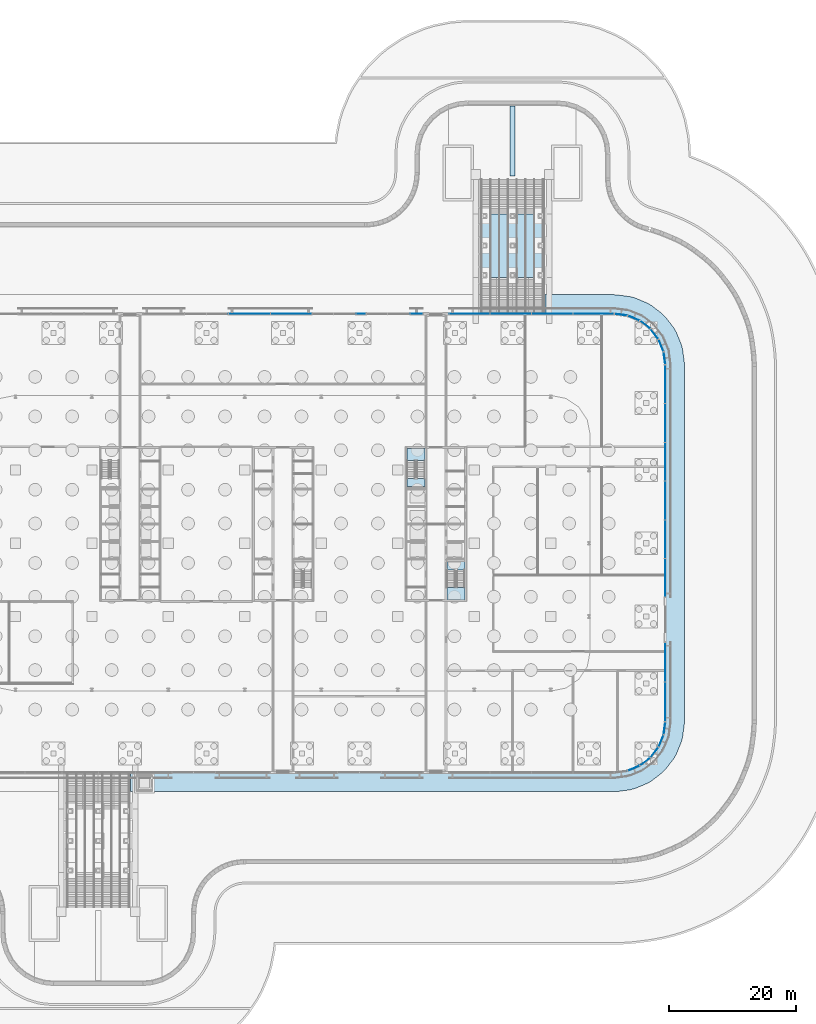
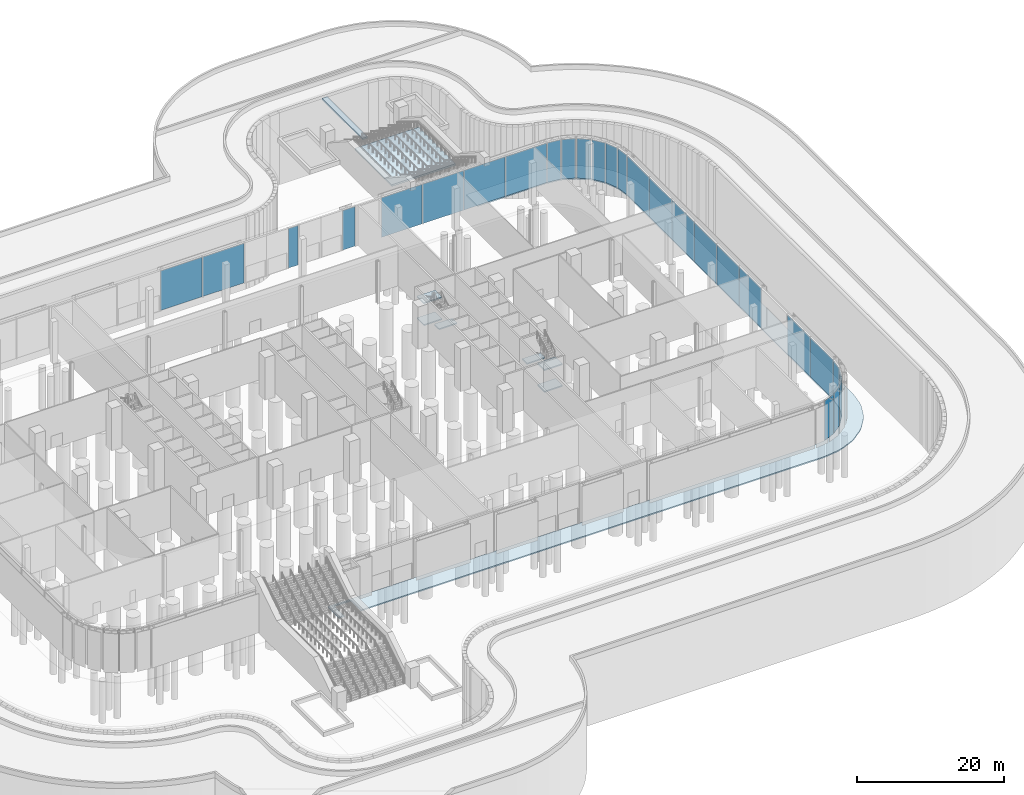
# One storey, part 19 of 48: 28 plates, 8 slabs, 20 elements without a shape of their own.
"""IFC4 building model written with IfcOpenShell, lengths in metres."""

import ifcopenshell
import ifcopenshell.guid

model = None  # the IFC model being written
_history = None  # IfcOwnerHistory: only IFC2X3 demands one
_inside = {}  # id of a spatial element -> (the spatial element, [elements in it])
_under = {}  # id of a project, library or spatial element -> (it, [spatial elements below it])
_declared = {}  # id of a project -> (the project, [libraries it declares])
_typed = {}  # id of a type object -> (the type object, [elements of that type])
_made_of = {}  # id of a material, layer set ... -> (it, [elements and type objects made of it])


def new_model(schema):
    """Start an empty IFC model of exactly this schema.

    Asked for "IFC4X3", IfcOpenShell would pick the latest addendum, in which some entities
    have other attributes; the version numbers below select the first issue.
    IFC2X3 requires an IfcOwnerHistory on every rooted entity: one is made here for all.
    """
    global model, _history
    if schema == "IFC4X3":
        model = ifcopenshell.file(schema_version=(4, 3, 0, 0))
    else:
        model = ifcopenshell.file(schema=schema)
    _inside.clear()
    _under.clear()
    _declared.clear()
    _typed.clear()
    _made_of.clear()
    _history = None
    if model.schema == "IFC2X3":
        org = make("IfcOrganization", Name="unknown")
        user = make(
            "IfcPersonAndOrganization",
            ThePerson=make("IfcPerson", FamilyName="unknown"),
            TheOrganization=org,
        )
        app = make(
            "IfcApplication",
            ApplicationDeveloper=org,
            Version="unknown",
            ApplicationFullName="unknown",
            ApplicationIdentifier="unknown",
        )
        _history = make(
            "IfcOwnerHistory",
            OwningUser=user,
            OwningApplication=app,
            ChangeAction="ADDED",
            CreationDate=0,
        )
    return model


def make(cls, **values):
    """One entity of the class cls with the attributes given. An attribute that is None is left unset."""
    return model.create_entity(
        cls, **{name: value for name, value in values.items() if value is not None}
    )


def rooted(cls, **values):
    """An entity with a GlobalId (a new one), such as an element, a storey or a relation."""
    return make(cls, GlobalId=ifcopenshell.guid.new(), OwnerHistory=_history, **values)


def si_unit(unit_type, name, prefix=None):
    """IfcSIUnit, for example si_unit("LENGTHUNIT", "METRE", prefix="MILLI")."""
    return make("IfcSIUnit", UnitType=unit_type, Prefix=prefix, Name=name)


def assignment(units):
    """IfcUnitAssignment: the units of a project."""
    return None if units is None else make("IfcUnitAssignment", Units=units)


def point(xyz):
    """IfcCartesianPoint."""
    return None if xyz is None else make("IfcCartesianPoint", Coordinates=xyz)


def direction(xyz):
    """IfcDirection."""
    return None if xyz is None else make("IfcDirection", DirectionRatios=xyz)


def frame(location, z_axis=None, x_axis=None):
    """IfcAxis2Placement3D, a coordinate frame: its origin and axes. An axis left out is left unset."""
    return make(
        "IfcAxis2Placement3D",
        Location=point(location),
        Axis=direction(z_axis),
        RefDirection=direction(x_axis),
    )


def frame_2d(location, x_axis=None):
    """IfcAxis2Placement2D, a coordinate frame in the plane: its origin and x axis."""
    return make(
        "IfcAxis2Placement2D", Location=point(location), RefDirection=direction(x_axis)
    )


def origin():
    """The frame at (0, 0, 0) with its axes left unset."""
    return frame((0.0, 0.0, 0.0))


def origin_2d():
    """The frame at (0, 0) in the plane with its x axis left unset."""
    return frame_2d((0.0, 0.0))


def place(relative_to, where):
    """IfcLocalPlacement: puts the frame where relative to a parent placement (None: the world)."""
    return make(
        "IfcLocalPlacement", PlacementRelTo=relative_to, RelativePlacement=where
    )


def context(
    kind, dimensions, precision=None, world=None, true_north=None, identifier=None
):
    """IfcGeometricRepresentationContext, for example the 3D "Model" context."""
    return make(
        "IfcGeometricRepresentationContext",
        ContextIdentifier=identifier,
        ContextType=kind,
        CoordinateSpaceDimension=dimensions,
        Precision=precision,
        WorldCoordinateSystem=world,
        TrueNorth=true_north,
    )


def subcontext(parent, identifier, kind, view, scale=None):
    """IfcGeometricRepresentationSubContext, for example "Body" below "Model"."""
    return make(
        "IfcGeometricRepresentationSubContext",
        ContextIdentifier=identifier,
        ContextType=kind,
        ParentContext=parent,
        TargetScale=scale,
        TargetView=view,
    )


def project(units=None, contexts=None):
    """IfcProject with its units and contexts."""
    return rooted(
        "IfcProject",
        Name="project",
        RepresentationContexts=contexts,
        UnitsInContext=assignment(units),
    )


def spatial(cls, under=None, at=None, **own):
    """A site, building, storey or space (cls), placed at a placement, below another one or the project."""
    s = rooted(cls, ObjectPlacement=at, **own)
    if under is not None:
        _under.setdefault(under.id(), (under, []))[1].append(s)
    return s


def polyline(points):
    """IfcPolyline through the points."""
    return make("IfcPolyline", Points=[point(p) for p in points])


def profile(cls, at=None, kind="AREA", **sizes):
    """A parametric profile (cls). Its sizes go by their IFC names, for example OverallWidth=200.0."""
    return make(cls, ProfileType=kind, Position=at, **sizes)


def rectangle(**sizes):
    """IfcRectangleProfileDef."""
    return profile("IfcRectangleProfileDef", **sizes)


def outline(outer, holes=None, kind="AREA"):
    """IfcArbitraryClosedProfileDef: a profile drawn as a closed curve; with holes, ...WithVoids."""
    if holes is None:
        return make("IfcArbitraryClosedProfileDef", ProfileType=kind, OuterCurve=outer)
    return make(
        "IfcArbitraryProfileDefWithVoids",
        ProfileType=kind,
        OuterCurve=outer,
        InnerCurves=holes,
    )


def extrude(swept, where, along, depth):
    """IfcExtrudedAreaSolid: the profile swept, set in the frame where, extruded along a direction by depth."""
    return make(
        "IfcExtrudedAreaSolid",
        SweptArea=swept,
        Position=where,
        ExtrudedDirection=direction(along),
        Depth=depth,
    )


def shape(context_of_items, identifier, shape_type, items):
    """IfcShapeRepresentation: the items that make up one representation, for example the "Body"."""
    return make(
        "IfcShapeRepresentation",
        ContextOfItems=context_of_items,
        RepresentationIdentifier=identifier,
        RepresentationType=shape_type,
        Items=items,
    )


def material(Name=None, Category=None):
    """IfcMaterial."""
    return make("IfcMaterial", Name=Name, Category=Category)


def layer(
    of_material, thickness, ventilated=None, Name=None, Category=None, Priority=None
):
    """IfcMaterialLayer: one layer of a wall or slab, of a material (None: an air gap)."""
    return make(
        "IfcMaterialLayer",
        Material=of_material,
        LayerThickness=thickness,
        IsVentilated=ventilated,
        Name=Name,
        Category=Category,
        Priority=Priority,
    )


def layer_set(layers, Name=None):
    """IfcMaterialLayerSet."""
    return make("IfcMaterialLayerSet", MaterialLayers=layers, LayerSetName=Name)


def made_of(thing, what):
    """Note that an element or type object is made of a material, layer set ...; save() writes the relation."""
    if what is not None:
        _made_of.setdefault(what.id(), (what, []))[1].append(thing)
    return thing


def type_object(cls, material=None, **own):
    """A type object (cls), such as IfcWallType, which elements share."""
    return made_of(rooted(cls, **own), material)


def element(
    cls,
    number,
    at=None,
    inside=None,
    cuts=None,
    type_object=None,
    material=None,
    context=None,
    identifier="Body",
    shape_type=None,
    held_by="IfcProductDefinitionShape",
    body=None,
    shapes=None,
    **own,
):
    """One element of the class cls, such as IfcWall. Its Tag is "e" and its number.

    at: its placement. inside: the storey or other place that contains it. cuts: it is an
    opening in that element (IfcRelVoidsElement). A single representation is given by context,
    identifier, shape_type and body (its items); several are given by shapes. held_by: the class
    of the entity that holds the representations. save() writes the other relations.
    """
    e = rooted(cls, Tag="e%d" % number, ObjectPlacement=at, **own)
    if body is not None:
        shapes = [shape(context, identifier, shape_type, body)]
    if shapes is not None:
        e.Representation = make(held_by, Representations=shapes)
    if inside is not None:
        _inside.setdefault(inside.id(), (inside, []))[1].append(e)
    if cuts is not None:
        rooted(
            "IfcRelVoidsElement", RelatingBuildingElement=cuts, RelatedOpeningElement=e
        )
    if type_object is not None:
        _typed.setdefault(type_object.id(), (type_object, []))[1].append(e)
    return made_of(e, material)


def aggregate(whole, parts):
    """IfcRelAggregates: a whole, such as a stair, and the parts it consists of."""
    return rooted("IfcRelAggregates", RelatingObject=whole, RelatedObjects=parts)


def save(model, path):
    """Write the relations noted so far, then the file.

    IfcRelAggregates (storeys below a building ...), IfcRelContainedInSpatialStructure (elements
    in a storey), IfcRelDefinesByType, IfcRelAssociatesMaterial and IfcRelDeclares: one each for
    every whole, place, type object, material and project.
    """
    for whole, parts in _under.values():
        aggregate(whole, parts)
    for where, things in _inside.values():
        rooted(
            "IfcRelContainedInSpatialStructure",
            RelatedElements=things,
            RelatingStructure=where,
        )
    for kind, things in _typed.values():
        rooted("IfcRelDefinesByType", RelatedObjects=things, RelatingType=kind)
    for what, things in _made_of.values():
        rooted("IfcRelAssociatesMaterial", RelatedObjects=things, RelatingMaterial=what)
    for by, libraries in _declared.values():
        rooted("IfcRelDeclares", RelatingContext=by, RelatedDefinitions=libraries)
    model.write(path)


model = new_model("IFC4")

# Units and contexts
model_context = context("Model", 3, precision=1e-05, world=origin(), true_north=direction((0.0, 1.0)))
body_context = subcontext(model_context, "Body", "Model", "MODEL_VIEW")
ifc_project = project(units=[si_unit("LENGTHUNIT", "METRE"), si_unit("AREAUNIT", "SQUARE_METRE"), si_unit("VOLUMEUNIT", "CUBIC_METRE"), si_unit("PLANEANGLEUNIT", "RADIAN"), si_unit("MASSUNIT", "GRAM", prefix="KILO")], contexts=[model_context])

# Site, building, storey
site_placement = place(None, origin())
site = spatial("IfcSite", under=ifc_project, at=site_placement, CompositionType="ELEMENT")
building_placement = place(site_placement, origin())
building = spatial("IfcBuilding", under=site, at=building_placement, Name="Mahtab Terrace Research Tower", CompositionType="ELEMENT")
storey_placement = place(building_placement, origin())
storey = spatial("IfcBuildingStorey", under=building, at=storey_placement, Name="G", CompositionType="ELEMENT", Elevation=0.0)

# Stair, slabs
ifc_material_1 = material(Name="Exit stair half-turn")
stair_type_1 = type_object("IfcStairType", Name="Exit stair half-turn", PredefinedType="HALF_TURN_STAIR", material=ifc_material_1)
stair_1_placement = place(storey_placement, origin())
stair_1 = element("IfcStair", 1, at=stair_1_placement, inside=storey, type_object=stair_type_1, Name="G Protected exit stair ST3", PredefinedType="HALF_TURN_STAIR")
ifc_material_2 = material(Name="Concrete C40/50", Category="concrete")
ifc_layer_1 = layer(ifc_material_2, 0.199951171875)
ifc_layer_set_1 = layer_set([ifc_layer_1], Name="Exit stair landing 200")
slab_type_1 = type_object("IfcSlabType", Name="Exit stair landing 200", PredefinedType="LANDING", material=ifc_layer_set_1)
slab_1_placement = place(storey_placement, frame((0.0, 0.0, 1.60009765625)))
slab_1 = element("IfcSlab", 2, at=slab_1_placement, type_object=slab_type_1, Name="ST3 landing 1", PredefinedType="LANDING", context=body_context, shape_type="SweptSolid", body=[
    extrude(outline(polyline([(22.300048828125, 12.97509765625), (22.300048828125, 14.875), (19.449951171875, 14.875), (19.449951171875, 12.97509765625), (22.300048828125, 12.97509765625)])), origin(), (0.0, 0.0, 1.0), 0.199951171875),
])
slab_2_placement = place(storey_placement, frame((0.0, 0.0, 3.39990234375)))
slab_2 = element("IfcSlab", 3, at=slab_2_placement, type_object=slab_type_1, Name="ST3 landing 2", PredefinedType="LANDING", context=body_context, shape_type="SweptSolid", body=[
    extrude(outline(polyline([(22.300048828125, 8.875), (22.300048828125, 10.175048828125), (19.449951171875, 10.175048828125), (19.449951171875, 8.875), (22.300048828125, 8.875)])), origin(), (0.0, 0.0, 1.0), 0.2001953125),
])
slab_3_placement = place(storey_placement, frame((0.0, 0.0, 5.199951171875)))
slab_3 = element("IfcSlab", 4, at=slab_3_placement, type_object=slab_type_1, Name="ST3 landing 3", PredefinedType="LANDING", context=body_context, shape_type="SweptSolid", body=[
    extrude(outline(polyline([(22.300048828125, 12.97509765625), (22.300048828125, 14.875), (19.449951171875, 14.875), (19.449951171875, 12.97509765625), (22.300048828125, 12.97509765625)])), origin(), (0.0, 0.0, 1.0), 0.199951171875),
])
aggregate(stair_1, [slab_1, slab_2, slab_3])

stair_2_placement = place(storey_placement, origin())
stair_2 = element("IfcStair", 5, at=stair_2_placement, inside=storey, type_object=stair_type_1, Name="G Protected exit stair ST4", PredefinedType="HALF_TURN_STAIR")
slab_4_placement = place(storey_placement, frame((0.0, 0.0, 1.60009765625)))
slab_4 = element("IfcSlab", 6, at=slab_4_placement, type_object=slab_type_1, Name="ST4 landing 1", PredefinedType="LANDING", context=body_context, shape_type="SweptSolid", body=[
    extrude(outline(polyline([(25.699951171875, -6.97509765625), (25.699951171875, -8.875), (28.550048828125, -8.875), (28.550048828125, -6.97509765625), (25.699951171875, -6.97509765625)])), origin(), (0.0, 0.0, 1.0), 0.199951171875),
])
slab_5_placement = place(storey_placement, frame((0.0, 0.0, 3.39990234375)))
slab_5 = element("IfcSlab", 7, at=slab_5_placement, type_object=slab_type_1, Name="ST4 landing 2", PredefinedType="LANDING", context=body_context, shape_type="SweptSolid", body=[
    extrude(outline(polyline([(25.699951171875, -2.875), (25.699951171875, -4.175048828125), (28.550048828125, -4.175048828125), (28.550048828125, -2.875), (25.699951171875, -2.875)])), origin(), (0.0, 0.0, 1.0), 0.2001953125),
])
slab_6_placement = place(storey_placement, frame((0.0, 0.0, 5.199951171875)))
slab_6 = element("IfcSlab", 8, at=slab_6_placement, type_object=slab_type_1, Name="ST4 landing 3", PredefinedType="LANDING", context=body_context, shape_type="SweptSolid", body=[
    extrude(outline(polyline([(25.699951171875, -6.97509765625), (25.699951171875, -8.875), (28.550048828125, -8.875), (28.550048828125, -6.97509765625), (25.699951171875, -6.97509765625)])), origin(), (0.0, 0.0, 1.0), 0.199951171875),
])
aggregate(stair_2, [slab_4, slab_5, slab_6])

# Plate
ifc_material_3 = material(Name="Water feature lining")
ifc_layer_2 = layer(ifc_material_3, 0.25)
ifc_layer_set_2 = layer_set([ifc_layer_2], Name="Forecourt rill lining 800")
plate_type_1 = type_object("IfcPlateType", Name="Forecourt rill lining 800", PredefinedType="USERDEFINED", material=ifc_layer_set_2)
plate_1_placement = place(storey_placement, frame((0.0, 0.0, -0.31005859375)))
element("IfcPlate", 9, at=plate_1_placement, inside=storey, type_object=plate_type_1, Name="Forecourt rill 2", ObjectType="WATER CHANNEL", PredefinedType="USERDEFINED", context=body_context, shape_type="SweptSolid", body=[
    extrude(outline(polyline([(35.60009765625, 57.614990234375), (35.60009765625, 68.614990234375), (36.39990234375, 68.614990234375), (36.39990234375, 57.614990234375), (35.60009765625, 57.614990234375)])), origin(), (0.0, 0.0, 1.0), 0.239990234375),
])

# Slab
ifc_material_4 = material(Name="Granite paving", Category="masonry")
ifc_layer_3 = layer(ifc_material_4, 0.199951171875)
ifc_layer_set_3 = layer_set([ifc_layer_3], Name="Granite apron paving 200")
slab_type_2 = type_object("IfcSlabType", Name="Granite apron paving 200", PredefinedType="USERDEFINED", material=ifc_layer_set_3)
slab_7_placement = place(storey_placement, frame((0.0, 0.0, -0.199951171875)))
element("IfcSlab", 10, at=slab_7_placement, inside=storey, type_object=slab_type_2, Name="Apron paving 1", ObjectType="PAVING", PredefinedType="USERDEFINED", context=body_context, shape_type="SweptSolid", body=[
    extrude(outline(polyline([(63.0, 28.0), (63.0, -28.0), (62.97412109375, -28.39208984375), (62.700927734375, -30.462890625), (62.4990234375, -31.218994140625), (61.699951171875, -33.14794921875), (61.30810546875, -33.825927734375), (60.037109375, -35.48291015625), (59.48291015625, -36.037109375), (57.825927734375, -37.30810546875), (57.14794921875, -37.699951171875), (55.218994140625, -38.4990234375), (54.462890625, -38.700927734375), (52.39208984375, -38.97412109375), (52.0, -39.0), (-20.5, -39.0), (-20.489990234375, -39.0), (-20.47998046875, -38.998046875), (-20.470947265625, -38.99609375), (-20.4619140625, -38.991943359375), (-20.452880859375, -38.988037109375), (-20.444091796875, -38.98291015625), (-20.43701171875, -38.97705078125), (-20.428955078125, -38.970947265625), (-20.423095703125, -38.962890625), (-20.4169921875, -38.9560546875), (-20.412109375, -38.947021484375), (-20.407958984375, -38.93798828125), (-20.404052734375, -38.928955078125), (-20.402099609375, -38.919921875), (-20.39990234375, -38.909912109375), (-20.39990234375, -38.89990234375), (-20.39990234375, -36.39990234375), (-20.39990234375, -36.389892578125), (-20.402099609375, -36.3798828125), (-20.404052734375, -36.37109375), (-20.407958984375, -36.362060546875), (-20.412109375, -36.35302734375), (-20.4169921875, -36.343994140625), (-20.423095703125, -36.3369140625), (-20.428955078125, -36.3291015625), (-20.43701171875, -36.322998046875), (-20.444091796875, -36.31689453125), (-20.452880859375, -36.31201171875), (-20.4619140625, -36.30810546875), (-20.470947265625, -36.303955078125), (-20.47998046875, -36.302001953125), (-20.489990234375, -36.300048828125), (-20.5, -36.300048828125), (-23.0, -36.300048828125), (-23.010009765625, -36.300048828125), (-23.02001953125, -36.302001953125), (-23.029052734375, -36.303955078125), (-23.0380859375, -36.30810546875), (-23.047119140625, -36.31201171875), (-23.055908203125, -36.31689453125), (-23.06298828125, -36.322998046875), (-23.071044921875, -36.3291015625), (-23.076904296875, -36.3369140625), (-23.0830078125, -36.343994140625), (-23.087890625, -36.35302734375), (-23.092041015625, -36.362060546875), (-23.095947265625, -36.37109375), (-23.097900390625, -36.3798828125), (-23.10009765625, -36.389892578125), (-23.10009765625, -36.39990234375), (-23.10009765625, -38.89990234375), (-23.10009765625, -38.909912109375), (-23.097900390625, -38.919921875), (-23.095947265625, -38.928955078125), (-23.092041015625, -38.93798828125), (-23.087890625, -38.947021484375), (-23.0830078125, -38.9560546875), (-23.076904296875, -38.962890625), (-23.071044921875, -38.970947265625), (-23.06298828125, -38.97705078125), (-23.055908203125, -38.98291015625), (-23.047119140625, -38.988037109375), (-23.0380859375, -38.991943359375), (-23.029052734375, -38.99609375), (-23.02001953125, -38.998046875), (-23.010009765625, -39.0), (-23.0, -39.0), (-23.89990234375, -39.0), (-23.89990234375, -36.0), (52.0, -36.0), (54.071044921875, -35.72705078125), (56.0, -34.927978515625), (57.656982421875, -33.656982421875), (58.927978515625, -32.0), (59.72705078125, -30.071044921875), (60.0, -28.0), (60.0, 28.0), (59.72705078125, 30.071044921875), (58.927978515625, 32.0), (57.656982421875, 33.656982421875), (56.0, 34.927978515625), (54.071044921875, 35.72705078125), (52.0, 36.0), (41.10009765625, 36.0), (41.10009765625, 39.0), (52.0, 39.0), (52.39208984375, 38.97412109375), (54.462890625, 38.700927734375), (55.218994140625, 38.4990234375), (57.14794921875, 37.699951171875), (57.825927734375, 37.30810546875), (59.48291015625, 36.037109375), (60.037109375, 35.48291015625), (61.30810546875, 33.825927734375), (61.699951171875, 33.14794921875), (62.4990234375, 31.218994140625), (62.700927734375, 30.462890625), (62.97412109375, 28.39208984375), (63.0, 28.0)])), origin(), (0.0, 0.0, 1.0), 0.199951171875),
])

# Curtain wall, plate
ifc_material_5 = material(Name="Ground lobby curtain wall")
curtain_wall_type = type_object("IfcCurtainWallType", Name="Ground lobby curtain wall", PredefinedType="NOTDEFINED", material=ifc_material_5)
curtain_wall_1_placement = place(storey_placement, origin())
curtain_wall_1 = element("IfcCurtainWall", 11, at=curtain_wall_1_placement, inside=storey, type_object=curtain_wall_type, Name="EN.G.0.0", PredefinedType="NOTDEFINED")
ifc_material_6 = material(Name="Dark glazing", Category="glass")
ifc_layer_4 = layer(ifc_material_6, 0.0439453125)
ifc_layer_set_4 = layer_set([ifc_layer_4], Name="Ground lobby curtain wall glazing panel")
plate_type_2 = type_object("IfcPlateType", Name="Ground lobby curtain wall glazing panel", PredefinedType="CURTAIN_PANEL", material=ifc_layer_set_4)
plate_2_placement = place(storey_placement, frame((59.327392578125, 31.035400390625, 0.0), z_axis=(0.0, 0.0, 1.0), x_axis=(-0.382676089485, 0.923882573998, 0.0)))
plate_2 = element("IfcPlate", 12, at=plate_2_placement, type_object=plate_type_2, Name="CWG-1 panel 1", PredefinedType="CURTAIN_PANEL", context=body_context, shape_type="SweptSolid", body=[
    extrude(rectangle(XDim=1.927978515625, YDim=0.0439453125, at=origin_2d()), origin(), (0.0, 0.0, 1.0), 6.56005859375),
])
aggregate(curtain_wall_1, [plate_2])

curtain_wall_2_placement = place(storey_placement, origin())
curtain_wall_2 = element("IfcCurtainWall", 13, at=curtain_wall_2_placement, inside=storey, type_object=curtain_wall_type, Name="EN.G.1.0", PredefinedType="NOTDEFINED")
plate_3_placement = place(storey_placement, frame((58.29248046875, 32.82861328125, 0.0), z_axis=(0.0, 0.0, 1.0), x_axis=(-0.60862253119, 0.793459901021, 0.0)))
plate_3 = element("IfcPlate", 14, at=plate_3_placement, type_object=plate_type_2, Name="CWG-1 panel 1", PredefinedType="CURTAIN_PANEL", context=body_context, shape_type="SweptSolid", body=[
    extrude(rectangle(XDim=1.92822265625, YDim=0.0439453125, at=origin_2d()), origin(), (0.0, 0.0, 1.0), 6.56005859375),
])
aggregate(curtain_wall_2, [plate_3])

curtain_wall_3_placement = place(storey_placement, origin())
curtain_wall_3 = element("IfcCurtainWall", 15, at=curtain_wall_3_placement, inside=storey, type_object=curtain_wall_type, Name="EN.G.2.0", PredefinedType="NOTDEFINED")
plate_4_placement = place(storey_placement, frame((56.82861328125, 34.29248046875, 0.0), z_axis=(0.0, 0.0, 1.0), x_axis=(-0.793459901021, 0.60862253119, 0.0)))
plate_4 = element("IfcPlate", 16, at=plate_4_placement, type_object=plate_type_2, Name="CWG-1 panel 1", PredefinedType="CURTAIN_PANEL", context=body_context, shape_type="SweptSolid", body=[
    extrude(rectangle(XDim=1.92822265625, YDim=0.0439453125, at=origin_2d()), origin(), (0.0, 0.0, 1.0), 6.56005859375),
])
aggregate(curtain_wall_3, [plate_4])

curtain_wall_4_placement = place(storey_placement, origin())
curtain_wall_4 = element("IfcCurtainWall", 17, at=curtain_wall_4_placement, inside=storey, type_object=curtain_wall_type, Name="EN.G.3.0", PredefinedType="NOTDEFINED")
plate_5_placement = place(storey_placement, frame((55.035400390625, 35.327392578125, 0.0), z_axis=(0.0, 0.0, 1.0), x_axis=(-0.923882573998, 0.382676089485, 0.0)))
plate_5 = element("IfcPlate", 18, at=plate_5_placement, type_object=plate_type_2, Name="CWG-1 panel 1", PredefinedType="CURTAIN_PANEL", context=body_context, shape_type="SweptSolid", body=[
    extrude(rectangle(XDim=1.927978515625, YDim=0.0439453125, at=origin_2d()), origin(), (0.0, 0.0, 1.0), 6.56005859375),
])
aggregate(curtain_wall_4, [plate_5])

curtain_wall_5_placement = place(storey_placement, origin())
curtain_wall_5 = element("IfcCurtainWall", 19, at=curtain_wall_5_placement, inside=storey, type_object=curtain_wall_type, Name="EN.G.4.0", PredefinedType="NOTDEFINED")
plate_6_placement = place(storey_placement, frame((53.035400390625, 35.863525390625, 0.0), z_axis=(0.0, 0.0, 1.0), x_axis=(-0.991423309059, 0.130689793992, 0.0)))
plate_6 = element("IfcPlate", 20, at=plate_6_placement, type_object=plate_type_2, Name="CWG-1 panel 1", PredefinedType="CURTAIN_PANEL", context=body_context, shape_type="SweptSolid", body=[
    extrude(rectangle(XDim=1.928955078125, YDim=0.0439453125, at=origin_2d()), origin(), (0.0, 0.0, 1.0), 6.56005859375),
])
aggregate(curtain_wall_5, [plate_6])

# Curtain wall, plates
curtain_wall_6_placement = place(storey_placement, origin())
curtain_wall_6 = element("IfcCurtainWall", 21, at=curtain_wall_6_placement, inside=storey, type_object=curtain_wall_type, Name="EN.G.5.0", PredefinedType="NOTDEFINED")
plate_7_placement = place(storey_placement, frame((48.72998046875, 36.0, 0.0), z_axis=(0.0, 0.0, 1.0), x_axis=(-1.0, 0.0, 0.0)))
plate_7 = element("IfcPlate", 22, at=plate_7_placement, type_object=plate_type_2, Name="CWG-1 panel 1", PredefinedType="CURTAIN_PANEL", context=body_context, shape_type="SweptSolid", body=[
    extrude(rectangle(XDim=6.3798828125, YDim=0.0439453125, at=origin_2d()), origin(), (0.0, 0.0, 1.0), 6.56005859375),
])
plate_8_placement = place(storey_placement, frame((42.25, 36.0, 0.0), z_axis=(0.0, 0.0, 1.0), x_axis=(-1.0, 0.0, 0.0)))
plate_8 = element("IfcPlate", 23, at=plate_8_placement, type_object=plate_type_2, Name="CWG-1 panel 2", PredefinedType="CURTAIN_PANEL", context=body_context, shape_type="SweptSolid", body=[
    extrude(rectangle(XDim=6.419921875, YDim=0.0439453125, at=origin_2d()), origin(), (0.0, 0.0, 1.0), 6.56005859375),
])
plate_9_placement = place(storey_placement, frame((35.75, 36.0, 0.0), z_axis=(0.0, 0.0, 1.0), x_axis=(-1.0, 0.0, 0.0)))
plate_9 = element("IfcPlate", 24, at=plate_9_placement, type_object=plate_type_2, Name="CWG-1 panel 3", PredefinedType="CURTAIN_PANEL", context=body_context, shape_type="SweptSolid", body=[
    extrude(rectangle(XDim=6.419921875, YDim=0.0439453125, at=origin_2d()), origin(), (0.0, 0.0, 1.0), 6.56005859375),
])
plate_10_placement = place(storey_placement, frame((29.27001953125, 36.0, 0.0), z_axis=(0.0, 0.0, 1.0), x_axis=(-1.0, 0.0, 0.0)))
plate_10 = element("IfcPlate", 25, at=plate_10_placement, type_object=plate_type_2, Name="CWG-1 panel 4", PredefinedType="CURTAIN_PANEL", context=body_context, shape_type="SweptSolid", body=[
    extrude(rectangle(XDim=6.3798828125, YDim=0.0439453125, at=origin_2d()), origin(), (0.0, 0.0, 1.0), 6.56005859375),
])
aggregate(curtain_wall_6, [plate_7, plate_8, plate_9, plate_10])

# Curtain wall, plate
curtain_wall_7_placement = place(storey_placement, origin())
curtain_wall_7 = element("IfcCurtainWall", 26, at=curtain_wall_7_placement, inside=storey, type_object=curtain_wall_type, Name="EN.G.5.2", PredefinedType="NOTDEFINED")
plate_11_placement = place(storey_placement, frame((20.949951171875, 36.0, 0.0), z_axis=(0.0, 0.0, 1.0), x_axis=(-1.0, 0.0, 0.0)))
plate_11 = element("IfcPlate", 27, at=plate_11_placement, type_object=plate_type_2, Name="CWG-1 panel 1", PredefinedType="CURTAIN_PANEL", context=body_context, shape_type="SweptSolid", body=[
    extrude(rectangle(XDim=1.93994140625, YDim=0.0439453125, at=origin_2d()), origin(), (0.0, 0.0, 1.0), 6.56005859375),
])
aggregate(curtain_wall_7, [plate_11])

curtain_wall_8_placement = place(storey_placement, origin())
curtain_wall_8 = element("IfcCurtainWall", 28, at=curtain_wall_8_placement, inside=storey, type_object=curtain_wall_type, Name="EN.G.5.5", PredefinedType="NOTDEFINED")
plate_12_placement = place(storey_placement, frame((12.25, 36.0, 0.0), z_axis=(0.0, 0.0, 1.0), x_axis=(-1.0, 0.0, 0.0)))
plate_12 = element("IfcPlate", 29, at=plate_12_placement, type_object=plate_type_2, Name="CWG-1 panel 1", PredefinedType="CURTAIN_PANEL", context=body_context, shape_type="SweptSolid", body=[
    extrude(rectangle(XDim=1.5400390625, YDim=0.0439453125, at=origin_2d()), origin(), (0.0, 0.0, 1.0), 6.56005859375),
])
aggregate(curtain_wall_8, [plate_12])

# Curtain wall, plates
curtain_wall_9_placement = place(storey_placement, origin())
curtain_wall_9 = element("IfcCurtainWall", 30, at=curtain_wall_9_placement, inside=storey, type_object=curtain_wall_type, Name="EN.G.5.8", PredefinedType="NOTDEFINED")
plate_13_placement = place(storey_placement, frame((1.280029296875, 36.0, 0.0), z_axis=(0.0, 0.0, 1.0), x_axis=(-1.0, 0.0, 0.0)))
plate_13 = element("IfcPlate", 31, at=plate_13_placement, type_object=plate_type_2, Name="CWG-1 panel 1", PredefinedType="CURTAIN_PANEL", context=body_context, shape_type="SweptSolid", body=[
    extrude(rectangle(XDim=6.47998046875, YDim=0.0439453125, at=origin_2d()), origin(), (0.0, 0.0, 1.0), 6.56005859375),
])
plate_14_placement = place(storey_placement, frame((-5.280029296875, 36.0, 0.0), z_axis=(0.0, 0.0, 1.0), x_axis=(-1.0, 0.0, 0.0)))
plate_14 = element("IfcPlate", 32, at=plate_14_placement, type_object=plate_type_2, Name="CWG-1 panel 2", PredefinedType="CURTAIN_PANEL", context=body_context, shape_type="SweptSolid", body=[
    extrude(rectangle(XDim=6.47998046875, YDim=0.0439453125, at=origin_2d()), origin(), (0.0, 0.0, 1.0), 6.56005859375),
])
aggregate(curtain_wall_9, [plate_13, plate_14])

# Curtain wall, plate
curtain_wall_10_placement = place(storey_placement, origin())
curtain_wall_10 = element("IfcCurtainWall", 33, at=curtain_wall_10_placement, inside=storey, type_object=curtain_wall_type, Name="EN.G.21.0", PredefinedType="NOTDEFINED")
plate_15_placement = place(storey_placement, frame((55.035400390625, -35.327392578125, 0.0), z_axis=(0.0, 0.0, 1.0), x_axis=(0.923882573998, 0.382676089485, 0.0)))
plate_15 = element("IfcPlate", 34, at=plate_15_placement, type_object=plate_type_2, Name="CWG-1 panel 1", PredefinedType="CURTAIN_PANEL", context=body_context, shape_type="SweptSolid", body=[
    extrude(rectangle(XDim=1.927978515625, YDim=0.0439453125, at=origin_2d()), origin(), (0.0, 0.0, 1.0), 6.56005859375),
])
aggregate(curtain_wall_10, [plate_15])

curtain_wall_11_placement = place(storey_placement, origin())
curtain_wall_11 = element("IfcCurtainWall", 35, at=curtain_wall_11_placement, inside=storey, type_object=curtain_wall_type, Name="EN.G.22.0", PredefinedType="NOTDEFINED")
plate_16_placement = place(storey_placement, frame((56.82861328125, -34.29248046875, 0.0), z_axis=(0.0, 0.0, 1.0), x_axis=(0.793459901021, 0.60862253119, 0.0)))
plate_16 = element("IfcPlate", 36, at=plate_16_placement, type_object=plate_type_2, Name="CWG-1 panel 1", PredefinedType="CURTAIN_PANEL", context=body_context, shape_type="SweptSolid", body=[
    extrude(rectangle(XDim=1.92822265625, YDim=0.0439453125, at=origin_2d()), origin(), (0.0, 0.0, 1.0), 6.56005859375),
])
aggregate(curtain_wall_11, [plate_16])

curtain_wall_12_placement = place(storey_placement, origin())
curtain_wall_12 = element("IfcCurtainWall", 37, at=curtain_wall_12_placement, inside=storey, type_object=curtain_wall_type, Name="EN.G.23.0", PredefinedType="NOTDEFINED")
plate_17_placement = place(storey_placement, frame((58.29248046875, -32.82861328125, 0.0), z_axis=(0.0, 0.0, 1.0), x_axis=(0.60862253119, 0.793459901021, 0.0)))
plate_17 = element("IfcPlate", 38, at=plate_17_placement, type_object=plate_type_2, Name="CWG-1 panel 1", PredefinedType="CURTAIN_PANEL", context=body_context, shape_type="SweptSolid", body=[
    extrude(rectangle(XDim=1.92822265625, YDim=0.0439453125, at=origin_2d()), origin(), (0.0, 0.0, 1.0), 6.56005859375),
])
aggregate(curtain_wall_12, [plate_17])

curtain_wall_13_placement = place(storey_placement, origin())
curtain_wall_13 = element("IfcCurtainWall", 39, at=curtain_wall_13_placement, inside=storey, type_object=curtain_wall_type, Name="EN.G.24.0", PredefinedType="NOTDEFINED")
plate_18_placement = place(storey_placement, frame((59.327392578125, -31.035400390625, 0.0), z_axis=(0.0, 0.0, 1.0), x_axis=(0.382676089485, 0.923882573998, 0.0)))
plate_18 = element("IfcPlate", 40, at=plate_18_placement, type_object=plate_type_2, Name="CWG-1 panel 1", PredefinedType="CURTAIN_PANEL", context=body_context, shape_type="SweptSolid", body=[
    extrude(rectangle(XDim=1.927978515625, YDim=0.0439453125, at=origin_2d()), origin(), (0.0, 0.0, 1.0), 6.56005859375),
])
aggregate(curtain_wall_13, [plate_18])

curtain_wall_14_placement = place(storey_placement, origin())
curtain_wall_14 = element("IfcCurtainWall", 41, at=curtain_wall_14_placement, inside=storey, type_object=curtain_wall_type, Name="EN.G.25.0", PredefinedType="NOTDEFINED")
plate_19_placement = place(storey_placement, frame((59.863525390625, -29.035400390625, 0.0), z_axis=(0.0, 0.0, 1.0), x_axis=(0.130689793992, 0.991423309059, 0.0)))
plate_19 = element("IfcPlate", 42, at=plate_19_placement, type_object=plate_type_2, Name="CWG-1 panel 1", PredefinedType="CURTAIN_PANEL", context=body_context, shape_type="SweptSolid", body=[
    extrude(rectangle(XDim=1.928955078125, YDim=0.0439453125, at=origin_2d()), origin(), (0.0, 0.0, 1.0), 6.56005859375),
])
aggregate(curtain_wall_14, [plate_19])

# Curtain wall, plates
curtain_wall_15_placement = place(storey_placement, origin())
curtain_wall_15 = element("IfcCurtainWall", 43, at=curtain_wall_15_placement, inside=storey, type_object=curtain_wall_type, Name="EN.G.26.0", PredefinedType="NOTDEFINED")
plate_20_placement = place(storey_placement, frame((60.0, -24.85498046875, 0.0), z_axis=(0.0, 0.0, 1.0), x_axis=(0.0, 1.0, 0.0)))
plate_20 = element("IfcPlate", 44, at=plate_20_placement, type_object=plate_type_2, Name="CWG-1 panel 1", PredefinedType="CURTAIN_PANEL", context=body_context, shape_type="SweptSolid", body=[
    extrude(rectangle(XDim=6.1298828125, YDim=0.0439453125, at=origin_2d()), origin(), (0.0, 0.0, 1.0), 6.56005859375),
])
plate_21_placement = place(storey_placement, frame((60.0, -18.64501953125, 0.0), z_axis=(0.0, 0.0, 1.0), x_axis=(0.0, 1.0, 0.0)))
plate_21 = element("IfcPlate", 45, at=plate_21_placement, type_object=plate_type_2, Name="CWG-1 panel 2", PredefinedType="CURTAIN_PANEL", context=body_context, shape_type="SweptSolid", body=[
    extrude(rectangle(XDim=6.1298828125, YDim=0.0439453125, at=origin_2d()), origin(), (0.0, 0.0, 1.0), 6.56005859375),
])
aggregate(curtain_wall_15, [plate_20, plate_21])

curtain_wall_16_placement = place(storey_placement, origin())
curtain_wall_16 = element("IfcCurtainWall", 46, at=curtain_wall_16_placement, inside=storey, type_object=curtain_wall_type, Name="EN.G.26.2", PredefinedType="NOTDEFINED")
plate_22_placement = place(storey_placement, frame((60.0, -5.438232421875, 0.0), z_axis=(0.0, 0.0, 1.0), x_axis=(0.0, 1.0, 0.0)))
plate_22 = element("IfcPlate", 47, at=plate_22_placement, type_object=plate_type_2, Name="CWG-1 panel 1", PredefinedType="CURTAIN_PANEL", context=body_context, shape_type="SweptSolid", body=[
    extrude(rectangle(XDim=5.96337890625, YDim=0.0439453125, at=origin_2d()), origin(), (0.0, 0.0, 1.0), 6.56005859375),
])
plate_23_placement = place(storey_placement, frame((60.0, 0.625, 0.0), z_axis=(0.0, 0.0, 1.0), x_axis=(0.0, 1.0, 0.0)))
plate_23 = element("IfcPlate", 48, at=plate_23_placement, type_object=plate_type_2, Name="CWG-1 panel 2", PredefinedType="CURTAIN_PANEL", context=body_context, shape_type="SweptSolid", body=[
    extrude(rectangle(XDim=6.00341796875, YDim=0.0439453125, at=origin_2d()), origin(), (0.0, 0.0, 1.0), 6.56005859375),
])
plate_24_placement = place(storey_placement, frame((60.0, 6.708251953125, 0.0), z_axis=(0.0, 0.0, 1.0), x_axis=(0.0, 1.0, 0.0)))
plate_24 = element("IfcPlate", 49, at=plate_24_placement, type_object=plate_type_2, Name="CWG-1 panel 3", PredefinedType="CURTAIN_PANEL", context=body_context, shape_type="SweptSolid", body=[
    extrude(rectangle(XDim=6.00341796875, YDim=0.0439453125, at=origin_2d()), origin(), (0.0, 0.0, 1.0), 6.56005859375),
])
plate_25_placement = place(storey_placement, frame((60.0, 12.791748046875, 0.0), z_axis=(0.0, 0.0, 1.0), x_axis=(0.0, 1.0, 0.0)))
plate_25 = element("IfcPlate", 50, at=plate_25_placement, type_object=plate_type_2, Name="CWG-1 panel 4", PredefinedType="CURTAIN_PANEL", context=body_context, shape_type="SweptSolid", body=[
    extrude(rectangle(XDim=6.00341796875, YDim=0.0439453125, at=origin_2d()), origin(), (0.0, 0.0, 1.0), 6.56005859375),
])
plate_26_placement = place(storey_placement, frame((60.0, 18.875, 0.0), z_axis=(0.0, 0.0, 1.0), x_axis=(0.0, 1.0, 0.0)))
plate_26 = element("IfcPlate", 51, at=plate_26_placement, type_object=plate_type_2, Name="CWG-1 panel 5", PredefinedType="CURTAIN_PANEL", context=body_context, shape_type="SweptSolid", body=[
    extrude(rectangle(XDim=6.00341796875, YDim=0.0439453125, at=origin_2d()), origin(), (0.0, 0.0, 1.0), 6.56005859375),
])
plate_27_placement = place(storey_placement, frame((60.0, 24.938232421875, 0.0), z_axis=(0.0, 0.0, 1.0), x_axis=(0.0, 1.0, 0.0)))
plate_27 = element("IfcPlate", 52, at=plate_27_placement, type_object=plate_type_2, Name="CWG-1 panel 6", PredefinedType="CURTAIN_PANEL", context=body_context, shape_type="SweptSolid", body=[
    extrude(rectangle(XDim=5.96337890625, YDim=0.0439453125, at=origin_2d()), origin(), (0.0, 0.0, 1.0), 6.56005859375),
])
aggregate(curtain_wall_16, [plate_22, plate_23, plate_24, plate_25, plate_26, plate_27])

# Curtain wall, plate
curtain_wall_17_placement = place(storey_placement, origin())
curtain_wall_17 = element("IfcCurtainWall", 53, at=curtain_wall_17_placement, inside=storey, type_object=curtain_wall_type, Name="EN.G.27.0", PredefinedType="NOTDEFINED")
plate_28_placement = place(storey_placement, frame((59.863525390625, 29.035400390625, 0.0), z_axis=(0.0, 0.0, 1.0), x_axis=(-0.130689793992, 0.991423309059, 0.0)))
plate_28 = element("IfcPlate", 54, at=plate_28_placement, type_object=plate_type_2, Name="CWG-1 panel 1", PredefinedType="CURTAIN_PANEL", context=body_context, shape_type="SweptSolid", body=[
    extrude(rectangle(XDim=1.928955078125, YDim=0.0439453125, at=origin_2d()), origin(), (0.0, 0.0, 1.0), 6.56005859375),
])
aggregate(curtain_wall_17, [plate_28])

# Stair, slab
ifc_material_7 = material(Name="Public deck stair")
stair_type_2 = type_object("IfcStairType", Name="Public deck stair", PredefinedType="STRAIGHT_RUN_STAIR", material=ifc_material_7)
stair_3_placement = place(storey_placement, origin())
stair_3 = element("IfcStair", 55, at=stair_3_placement, inside=storey, type_object=stair_type_2, Name="Public deck stair PS2", PredefinedType="STRAIGHT_RUN_STAIR")
ifc_layer_5 = layer(ifc_material_2, 0.300048828125)
ifc_layer_set_5 = layer_set([ifc_layer_5], Name="Public deck stair landing 300")
slab_type_3 = type_object("IfcSlabType", Name="Public deck stair landing 300", PredefinedType="LANDING", material=ifc_layer_set_5)
slab_8_placement = place(storey_placement, frame((0.0, 0.0, 3.212158203125)))
slab_8 = element("IfcSlab", 56, at=slab_8_placement, type_object=slab_type_3, Name="PS2 landing 1", PredefinedType="LANDING", context=body_context, shape_type="SweptSolid", body=[
    extrude(outline(polyline([(31.0, 41.699951171875), (41.0, 41.699951171875), (41.0, 51.699951171875), (31.0, 51.699951171875), (31.0, 41.699951171875)])), origin(), (0.0, 0.0, 1.0), 0.300048828125),
])
aggregate(stair_3, [slab_8])

save(model, "model.ifc")
